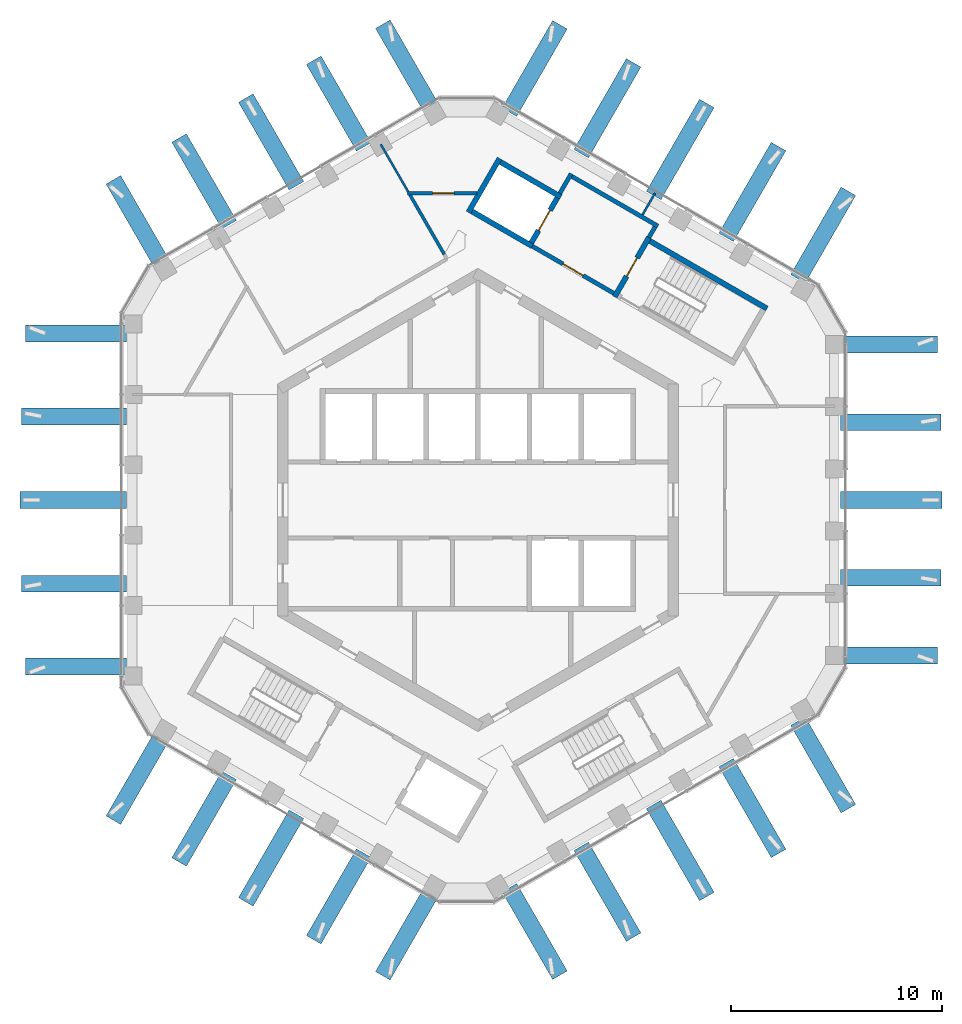
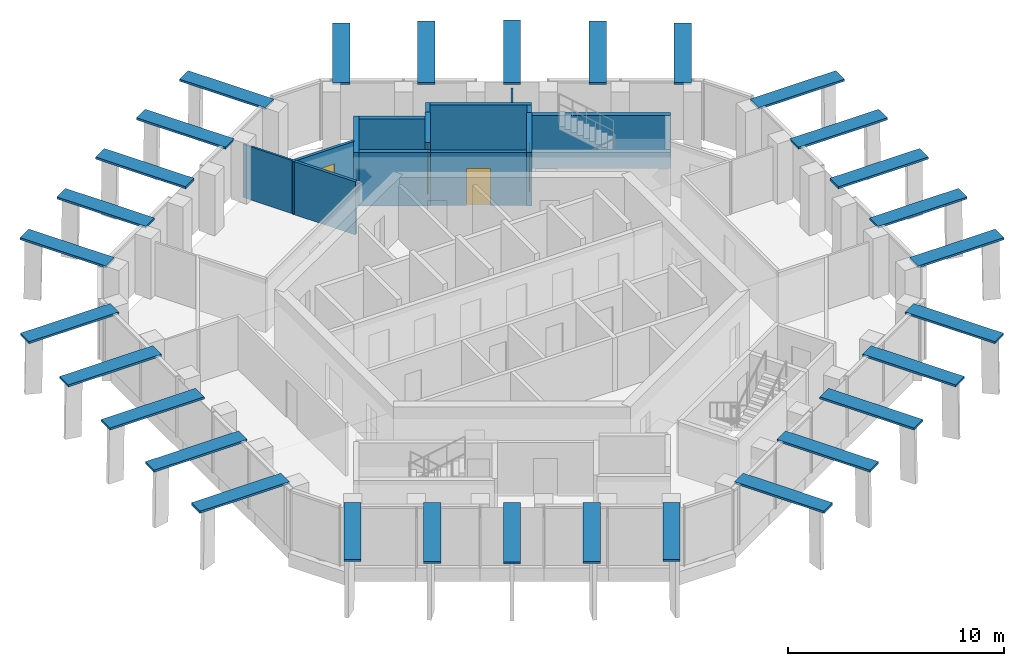
# One storey, part 13 of 17: 30 discrete accessories, 14 walls, 4 doors, 4 openings.
"""IFC4 building model written with IfcOpenShell, lengths in metres."""

from ifc_helpers import new_model, si_unit, direction, frame, frame_2d, origin, origin_2d, place, context, subcontext, project, spatial, rectangle, extrude, material, layer, layer_set, type_object, element, fill, save


model = new_model("IFC4")

# Units and contexts
model_context = context("Model", 3, precision=1e-05, world=origin(), true_north=direction((0.0, 1.0)))
body_context = subcontext(model_context, "Body", "Model", "MODEL_VIEW")
ifc_project = project(units=[si_unit("LENGTHUNIT", "METRE"), si_unit("AREAUNIT", "SQUARE_METRE"), si_unit("VOLUMEUNIT", "CUBIC_METRE"), si_unit("PLANEANGLEUNIT", "RADIAN"), si_unit("MASSUNIT", "GRAM", prefix="KILO")], contexts=[model_context])

# Site, building, storey
site_placement = place(None, origin())
site = spatial("IfcSite", under=ifc_project, at=site_placement, CompositionType="ELEMENT")
building_placement = place(site_placement, origin())
building = spatial("IfcBuilding", under=site, at=building_placement, Name="Ayvan Gate Tower", CompositionType="ELEMENT")
storey_placement = place(building_placement, frame((0.0, 0.0, 249.5)))
storey = spatial("IfcBuildingStorey", under=building, at=storey_placement, Name="L67", CompositionType="ELEMENT", Elevation=249.5)

# Wall, opening, door
ifc_material_1 = material(Name="Plasterboard on steel stud", Category="steel")
ifc_layer_1 = layer(ifc_material_1, 0.14990234375)
ifc_layer_set_1 = layer_set([ifc_layer_1], Name="Plasterboard on steel stud")
wall_type_1 = type_object("IfcWallType", Name="WT-CORR-150", PredefinedType="PARTITIONING", material=ifc_layer_set_1)
wall_1_placement = place(storey_placement, frame((-3.334716796875, 14.527587890625, 0.0), z_axis=(0.0, 0.0, 1.0), x_axis=(1.0, 0.0, 0.0)))
wall_1 = element("IfcWall", 1, at=wall_1_placement, inside=storey, type_object=wall_type_1, Name="IW-L67-021", PredefinedType="PARTITIONING", context=body_context, shape_type="SweptSolid", body=[
    extrude(rectangle(XDim=3.283203125, YDim=0.14990234375, at=frame_2d((1.6416015625, 0.0))), origin(), (0.0, 0.0, 1.0), 3.0),
])
opening_1_placement = place(wall_1_placement, frame((1.196533203125, 0.0, 0.0)))
opening_1 = element("IfcOpeningElement", 2, at=opening_1_placement, cuts=wall_1, Name="Opening L67-D24", PredefinedType="OPENING", context=body_context, shape_type="SweptSolid", body=[
    extrude(rectangle(XDim=1.0, YDim=2.10009765625, at=frame_2d((0.5, 1.050048828125))), frame((0.0, 0.0849609375, 0.0), z_axis=(0.0, -1.0, 0.0), x_axis=(1.0, 0.0, 0.0)), (0.0, 0.0, 1.0), 0.169921875),
])
ifc_material_2 = material(Name="Timber door leaf", Category="wood")
door_type_1 = type_object("IfcDoorType", Name="DT-1000", OperationType="NOTDEFINED", PredefinedType="DOOR", material=ifc_material_2)
door_1_placement = place(opening_1_placement, origin())
door_1 = element("IfcDoor", 3, at=door_1_placement, inside=storey, type_object=door_type_1, Name="ID-L67-024", OperationType="SINGLE_SWING_LEFT", OverallHeight=2.10009765625, OverallWidth=1.0, PredefinedType="DOOR", context=body_context, shape_type="SweptSolid", body=[
    extrude(rectangle(XDim=1.0, YDim=2.10009765625, at=frame_2d((0.5, 1.050048828125))), frame((0.0, 0.02490234375, 0.0), z_axis=(0.0, -1.0, 0.0), x_axis=(1.0, 0.0, 0.0)), (0.0, 0.0, 1.0), 0.050048828125),
])
fill(opening_1, door_1)

# Walls
wall_2_placement = place(storey_placement, frame((-1.593017578125, 11.640625, 0.0), z_axis=(0.0, 0.0, 1.0), x_axis=(-0.500022939057, 0.866012159509, 0.0)))
element("IfcWall", 4, at=wall_2_placement, inside=storey, type_object=wall_type_1, Name="IW-L67-027", PredefinedType="PARTITIONING", context=body_context, shape_type="SweptSolid", body=[
    extrude(rectangle(XDim=3.258544921875, YDim=0.14990234375, at=frame_2d((1.62939453125, 0.0))), origin(), (0.0, 0.0, 1.0), 3.0),
])
ifc_layer_2 = layer(ifc_material_1, 0.10009765625)
ifc_layer_set_2 = layer_set([ifc_layer_2], Name="Plasterboard on steel stud")
wall_type_2 = type_object("IfcWallType", Name="WT-PART-100", PredefinedType="PARTITIONING", material=ifc_layer_set_2)
wall_3_placement = place(storey_placement, frame((-3.29736328125, 14.592529296875, 0.0), z_axis=(0.0, 0.0, 1.0), x_axis=(-0.499944513011, 0.866057436843, 0.0)))
element("IfcWall", 5, at=wall_3_placement, inside=storey, type_object=wall_type_2, Name="IW-L67-020", PredefinedType="PARTITIONING", context=body_context, shape_type="SweptSolid", body=[
    extrude(rectangle(XDim=2.601318359375, YDim=0.10009765625, at=frame_2d((1.30078125, 0.0))), origin(), (0.0, 0.0, 1.0), 3.0),
])
wall_4_placement = place(storey_placement, frame((7.800048828125, 13.510009765625, 0.0), z_axis=(0.0, 0.0, 1.0), x_axis=(0.499962389866, 0.866047116916, 0.0)))
element("IfcWall", 6, at=wall_4_placement, inside=storey, type_object=wall_type_2, Name="IW-L67-058", PredefinedType="PARTITIONING", context=body_context, shape_type="SweptSolid", body=[
    extrude(rectangle(XDim=1.17431640625, YDim=0.10009765625, at=frame_2d((0.587158203125, 0.0))), origin(), (0.0, 0.0, 1.0), 3.0),
])
ifc_layer_3 = layer(ifc_material_1, 0.199951171875)
ifc_layer_set_3 = layer_set([ifc_layer_3], Name="Plasterboard on steel stud")
wall_type_3 = type_object("IfcWallType", Name="WT-RATED-200", PredefinedType="PARTITIONING", material=ifc_layer_set_3)
wall_5_placement = place(storey_placement, frame((3.885009765625, 14.52880859375, 0.0), z_axis=(0.0, 0.0, 1.0), x_axis=(0.499997628298, 0.866026773083, 0.0)))
element("IfcWall", 7, at=wall_5_placement, inside=storey, type_object=wall_type_3, Name="IW-L67-043", PredefinedType="PARTITIONING", context=body_context, shape_type="SweptSolid", body=[
    extrude(rectangle(XDim=1.0751953125, YDim=0.199951171875, at=frame_2d((0.53759765625, 0.0))), origin(), (0.0, 0.0, 1.0), 3.0),
])
wall_6_placement = place(storey_placement, frame((4.458984375, 15.323486328125, 0.0), z_axis=(0.0, 0.0, 1.0), x_axis=(0.866016039709, -0.500016218704, 0.0)))
element("IfcWall", 8, at=wall_6_placement, inside=storey, type_object=wall_type_3, Name="IW-L67-044", PredefinedType="PARTITIONING", context=body_context, shape_type="SweptSolid", body=[
    extrude(rectangle(XDim=4.699951171875, YDim=0.199951171875, at=frame_2d((2.35009765625, 0.0))), origin(), (0.0, 0.0, 1.0), 3.0),
])

# Wall, opening, door
wall_7_placement = place(storey_placement, frame((6.4345703125, 9.794921875, 0.0), z_axis=(0.0, 0.0, 1.0), x_axis=(-0.866012907634, 0.500021643343, 0.0)))
wall_7 = element("IfcWall", 9, at=wall_7_placement, inside=storey, type_object=wall_type_3, Name="IW-L67-050", PredefinedType="PARTITIONING", context=body_context, shape_type="SweptSolid", body=[
    extrude(rectangle(XDim=4.449951171875, YDim=0.199951171875, at=frame_2d((2.22509765625, 0.0))), origin(), (0.0, 0.0, 1.0), 3.0),
])
opening_2_placement = place(wall_7_placement, frame((1.675048828125, 0.0, 0.0)))
opening_2 = element("IfcOpeningElement", 10, at=opening_2_placement, cuts=wall_7, Name="Opening L67-D13", PredefinedType="OPENING", context=body_context, shape_type="SweptSolid", body=[
    extrude(rectangle(XDim=1.10009765625, YDim=2.10009765625, at=frame_2d((0.550048828125, 1.050048828125))), frame((0.0, 0.10986328125, 0.0), z_axis=(0.0, -1.0, 0.0), x_axis=(1.0, 0.0, 0.0)), (0.0, 0.0, 1.0), 0.219970703125),
])
door_type_2 = type_object("IfcDoorType", Name="DT-1100", OperationType="NOTDEFINED", PredefinedType="DOOR", material=ifc_material_2)
door_2_placement = place(opening_2_placement, origin())
door_2 = element("IfcDoor", 11, at=door_2_placement, inside=storey, type_object=door_type_2, Name="ID-L67-013", OperationType="SINGLE_SWING_RIGHT", OverallHeight=2.10009765625, OverallWidth=1.10009765625, PredefinedType="DOOR", context=body_context, shape_type="SweptSolid", body=[
    extrude(rectangle(XDim=1.10009765625, YDim=2.10009765625, at=frame_2d((0.550048828125, 1.050048828125))), frame((0.0, 0.02490234375, 0.0), z_axis=(0.0, -1.0, 0.0), x_axis=(1.0, 0.0, 0.0)), (0.0, 0.0, 1.0), 0.050048828125),
])
fill(opening_2, door_2)

# Walls
wall_8_placement = place(storey_placement, frame((8.392822265625, 12.936767578125, 0.0), z_axis=(0.0, 0.0, 1.0), x_axis=(-0.500065409566, -0.86598763626, 0.0)))
element("IfcWall", 12, at=wall_8_placement, inside=storey, type_object=wall_type_3, Name="IW-L67-060", PredefinedType="PARTITIONING", context=body_context, shape_type="SweptSolid", body=[
    extrude(rectangle(XDim=0.5751953125, YDim=0.199951171875, at=frame_2d((0.28759765625, 0.0))), origin(), (0.0, 0.0, 1.0), 3.0),
])
ifc_material_3 = material(Name="Concrete C50/60", Category="concrete")
ifc_layer_4 = layer(ifc_material_3, 0.25)
ifc_layer_set_4 = layer_set([ifc_layer_4], Name="Concrete C50/60")
wall_type_4 = type_object("IfcWallType", Name="WT-RC-250", PredefinedType="SHEAR", material=ifc_layer_set_4)
wall_9_placement = place(storey_placement, frame((-0.447998046875, 13.624267578125, 0.0), z_axis=(0.0, 0.0, 1.0), x_axis=(0.500037662692, 0.866003658127, 0.0)))
element("IfcWall", 13, at=wall_9_placement, inside=storey, type_object=wall_type_4, Name="IW-L67-031", PredefinedType="SHEAR", context=body_context, shape_type="SweptSolid", body=[
    extrude(rectangle(XDim=2.949951171875, YDim=0.25, at=frame_2d((1.47509765625, 0.0))), origin(), (0.0, 0.0, 1.0), 3.0),
])
for number, where, z_axis, x_axis, name in (
    (14, (1.072998046875, 16.00830078125, 0.0), (0.0, 0.0, 1.0), (0.866040211805, -0.499974350878, 0.0), "IW-L67-035"),
    (15, (2.580810546875, 12.02001953125, 0.0), (0.0, 0.0, 1.0), (-0.866040211805, 0.499974350878, 0.0), "IW-L67-039"),
):
    element("IfcWall", number, at=place(storey_placement, frame(where, z_axis=z_axis, x_axis=x_axis)), inside=storey, type_object=wall_type_4, Name=name, PredefinedType="SHEAR", context=body_context, shape_type="SweptSolid", body=[
        extrude(rectangle(XDim=3.300048828125, YDim=0.25, at=frame_2d((1.64990234375, 0.0))), origin(), (0.0, 0.0, 1.0), 3.0),
    ])

# Wall, opening, door
wall_10_placement = place(storey_placement, frame((2.534912109375, 12.19091796875, 0.0), z_axis=(0.0, 0.0, 1.0), x_axis=(0.500061746146, 0.865989751695, 0.0)))
wall_10 = element("IfcWall", 16, at=wall_10_placement, inside=storey, type_object=wall_type_4, Name="IW-L67-040", PredefinedType="SHEAR", context=body_context, shape_type="SweptSolid", body=[
    extrude(rectangle(XDim=2.449951171875, YDim=0.25, at=frame_2d((1.22509765625, 0.0))), origin(), (0.0, 0.0, 1.0), 3.39990234375),
])
opening_3_placement = place(wall_10_placement, frame((0.675048828125, 0.0, 0.0)))
opening_3 = element("IfcOpeningElement", 17, at=opening_3_placement, cuts=wall_10, Name="Opening L67-LD-FF1", PredefinedType="OPENING", context=body_context, shape_type="SweptSolid", body=[
    extrude(rectangle(XDim=1.10009765625, YDim=2.10009765625, at=frame_2d((0.550048828125, 1.050048828125))), frame((0.0, 0.135009765625, 0.0), z_axis=(0.0, -1.0, 0.0), x_axis=(1.0, 0.0, 0.0)), (0.0, 0.0, 1.0), 0.27001953125),
])
ifc_material_4 = material(Name="Stainless steel landing door", Category="steel")
door_type_3 = type_object("IfcDoorType", Name="DT-LANDING-1100", OperationType="SLIDING_TO_LEFT", PredefinedType="DOOR", material=ifc_material_4)
door_3_placement = place(opening_3_placement, origin())
door_3 = element("IfcDoor", 18, at=door_3_placement, inside=storey, type_object=door_type_3, Name="ID-L67-014", OperationType="SLIDING_TO_LEFT", OverallHeight=2.10009765625, OverallWidth=1.10009765625, PredefinedType="DOOR", context=body_context, shape_type="SweptSolid", body=[
    extrude(rectangle(XDim=1.10009765625, YDim=2.10009765625, at=frame_2d((0.550048828125, 1.050048828125))), frame((0.0, 0.02490234375, 0.0), z_axis=(0.0, -1.0, 0.0), x_axis=(1.0, 0.0, 0.0)), (0.0, 0.0, 1.0), 0.050048828125),
])
fill(opening_3, door_3)

wall_11_placement = place(storey_placement, frame((6.480224609375, 9.624267578125, 0.0), z_axis=(0.0, 0.0, 1.0), x_axis=(0.500017246033, 0.866015446554, 0.0)))
wall_11 = element("IfcWall", 19, at=wall_11_placement, inside=storey, type_object=wall_type_4, Name="IW-L67-051", PredefinedType="SHEAR", context=body_context, shape_type="SweptSolid", body=[
    extrude(rectangle(XDim=3.25, YDim=0.25, at=frame_2d((1.625, 0.0))), origin(), (0.0, 0.0, 1.0), 3.0),
])
opening_4_placement = place(wall_11_placement, frame((1.125, 0.0, 0.0)))
opening_4 = element("IfcOpeningElement", 20, at=opening_4_placement, cuts=wall_11, Name="Opening L67-D12", PredefinedType="OPENING", context=body_context, shape_type="SweptSolid", body=[
    extrude(rectangle(XDim=1.0, YDim=2.10009765625, at=frame_2d((0.5, 1.050048828125))), frame((0.0, 0.135009765625, 0.0), z_axis=(0.0, -1.0, 0.0), x_axis=(1.0, 0.0, 0.0)), (0.0, 0.0, 1.0), 0.27001953125),
])
door_4_placement = place(opening_4_placement, origin())
door_4 = element("IfcDoor", 21, at=door_4_placement, inside=storey, type_object=door_type_1, Name="ID-L67-012", OperationType="SINGLE_SWING_LEFT", OverallHeight=2.10009765625, OverallWidth=1.0, PredefinedType="DOOR", context=body_context, shape_type="SweptSolid", body=[
    extrude(rectangle(XDim=1.0, YDim=2.10009765625, at=frame_2d((0.5, 1.050048828125))), frame((0.0, 0.02490234375, 0.0), z_axis=(0.0, -1.0, 0.0), x_axis=(1.0, 0.0, 0.0)), (0.0, 0.0, 1.0), 0.050048828125),
])
fill(opening_4, door_4)

# Wall
wall_12_placement = place(storey_placement, frame((8.151123046875, 12.26806640625, 0.0), z_axis=(0.0, 0.0, 1.0), x_axis=(0.866025499775, -0.499999833739, 0.0)))
element("IfcWall", 22, at=wall_12_placement, inside=storey, type_object=wall_type_4, Name="IW-L67-059", PredefinedType="SHEAR", context=body_context, shape_type="SweptSolid", body=[
    extrude(rectangle(XDim=6.39990234375, YDim=0.25, at=frame_2d((3.199951171875, 0.0))), origin(), (0.0, 0.0, 1.0), 3.0),
])

# Discrete accessories
ifc_material_5 = material(Name="Stainless steel 316", Category="steel")
ifc_layer_5 = layer(ifc_material_5, 0.1201171875)
ifc_layer_set_5 = layer_set([ifc_layer_5], Name="Stainless steel 316")
discrete_accessory_type = type_object("IfcDiscreteAccessoryType", Name="Fin carrier bracket", PredefinedType="BRACKET", material=ifc_layer_set_5)
discrete_accessory_1_placement = place(storey_placement, frame((-19.046142578125, -7.889892578125, 3.280029296875), z_axis=(0.0, 0.0, 1.0), x_axis=(0.0, -1.0, 0.0)))
element("IfcDiscreteAccessory", 23, at=discrete_accessory_1_placement, inside=storey, type_object=discrete_accessory_type, Name="Fin carrier 155", PredefinedType="BRACKET", context=body_context, shape_type="SweptSolid", body=[
    extrude(rectangle(XDim=0.800048828125, YDim=4.785400390625, at=origin_2d()), origin(), (0.0, 0.0, 1.0), 0.1201171875),
])
discrete_accessory_2_placement = place(storey_placement, frame((-19.1376953125, -3.964599609375, 3.280029296875), z_axis=(0.0, 0.0, 1.0), x_axis=(0.0, -1.0, 0.0)))
element("IfcDiscreteAccessory", 24, at=discrete_accessory_2_placement, inside=storey, type_object=discrete_accessory_type, Name="Fin carrier 163", PredefinedType="BRACKET", context=body_context, shape_type="SweptSolid", body=[
    extrude(rectangle(XDim=0.800048828125, YDim=4.96875, at=origin_2d()), origin(), (0.0, 0.0, 1.0), 0.1201171875),
])
discrete_accessory_3_placement = place(storey_placement, frame((-19.17138671875, -0.000244140625, 3.280029296875), z_axis=(0.0, 0.0, 1.0), x_axis=(0.0, -1.0, 0.0)))
element("IfcDiscreteAccessory", 25, at=discrete_accessory_3_placement, inside=storey, type_object=discrete_accessory_type, Name="Fin carrier 172", PredefinedType="BRACKET", context=body_context, shape_type="SweptSolid", body=[
    extrude(rectangle(XDim=0.800048828125, YDim=5.035888671875, at=origin_2d()), origin(), (0.0, 0.0, 1.0), 0.1201171875),
])
discrete_accessory_4_placement = place(storey_placement, frame((-19.1376953125, 3.96435546875, 3.280029296875), z_axis=(0.0, 0.0, 1.0), x_axis=(0.0, -1.0, 0.0)))
element("IfcDiscreteAccessory", 26, at=discrete_accessory_4_placement, inside=storey, type_object=discrete_accessory_type, Name="Fin carrier 180", PredefinedType="BRACKET", context=body_context, shape_type="SweptSolid", body=[
    extrude(rectangle(XDim=0.800048828125, YDim=4.96875, at=origin_2d()), origin(), (0.0, 0.0, 1.0), 0.1201171875),
])
discrete_accessory_5_placement = place(storey_placement, frame((-19.046142578125, 7.889892578125, 3.280029296875), z_axis=(0.0, 0.0, 1.0), x_axis=(0.0, -1.0, 0.0)))
element("IfcDiscreteAccessory", 27, at=discrete_accessory_5_placement, inside=storey, type_object=discrete_accessory_type, Name="Fin carrier 188", PredefinedType="BRACKET", context=body_context, shape_type="SweptSolid", body=[
    extrude(rectangle(XDim=0.800048828125, YDim=4.785400390625, at=origin_2d()), origin(), (0.0, 0.0, 1.0), 0.1201171875),
])
for number, where, z_axis, x_axis, name in (
    (28, (-16.1220703125, -13.183349609375, 3.280029296875), (0.0, 0.0, 1.0), (0.866025403784, -0.5, 0.0), "Fin carrier 233"),
    (29, (-16.1220703125, 13.183349609375, 3.280029296875), (0.0, 0.0, 1.0), (-0.866025403784, -0.5, 0.0), "Fin carrier 242"),
):
    element("IfcDiscreteAccessory", number, at=place(storey_placement, frame(where, z_axis=z_axis, x_axis=x_axis)), inside=storey, type_object=discrete_accessory_type, Name=name, PredefinedType="BRACKET", context=body_context, shape_type="SweptSolid", body=[
        extrude(rectangle(XDim=0.800048828125, YDim=4.581298828125, at=origin_2d()), origin(), (0.0, 0.0, 1.0), 0.1201171875),
    ])
for number, where, z_axis, x_axis, name in (
    (30, (-12.967529296875, -15.09619140625, 3.280029296875), (0.0, 0.0, 1.0), (0.866025403784, -0.5, 0.0), "Fin carrier 298"),
    (31, (-12.9677734375, 15.09619140625, 3.280029296875), (0.0, 0.0, 1.0), (-0.866025403784, -0.5, 0.0), "Fin carrier 304"),
):
    element("IfcDiscreteAccessory", number, at=place(storey_placement, frame(where, z_axis=z_axis, x_axis=x_axis)), inside=storey, type_object=discrete_accessory_type, Name=name, PredefinedType="BRACKET", context=body_context, shape_type="SweptSolid", body=[
        extrude(rectangle(XDim=0.800048828125, YDim=4.739990234375, at=origin_2d()), origin(), (0.0, 0.0, 1.0), 0.1201171875),
    ])
for number, where, z_axis, x_axis, name in (
    (32, (-9.792724609375, -16.961669921875, 3.280029296875), (0.0, 0.0, 1.0), (0.866025403784, -0.5, 0.0), "Fin carrier 362"),
    (33, (-9.79296875, 16.961669921875, 3.280029296875), (0.0, 0.0, 1.0), (-0.866025403784, -0.5, 0.0), "Fin carrier 373"),
):
    element("IfcDiscreteAccessory", number, at=place(storey_placement, frame(where, z_axis=z_axis, x_axis=x_axis)), inside=storey, type_object=discrete_accessory_type, Name=name, PredefinedType="BRACKET", context=body_context, shape_type="SweptSolid", body=[
        extrude(rectangle(XDim=0.800048828125, YDim=4.79638671875, at=origin_2d()), origin(), (0.0, 0.0, 1.0), 0.1201171875),
    ])
for number, where, z_axis, x_axis, name in (
    (34, (-6.589599609375, -18.7783203125, 3.280029296875), (0.0, 0.0, 1.0), (0.866025403784, -0.5, 0.0), "Fin carrier 426"),
    (35, (-6.58984375, 18.7783203125, 3.280029296875), (0.0, 0.0, 1.0), (-0.866025403784, -0.5, 0.0), "Fin carrier 435"),
):
    element("IfcDiscreteAccessory", number, at=place(storey_placement, frame(where, z_axis=z_axis, x_axis=x_axis)), inside=storey, type_object=discrete_accessory_type, Name=name, PredefinedType="BRACKET", context=body_context, shape_type="SweptSolid", body=[
        extrude(rectangle(XDim=0.800048828125, YDim=4.739990234375, at=origin_2d()), origin(), (0.0, 0.0, 1.0), 0.1201171875),
    ])
for number, where, z_axis, x_axis, name in (
    (36, (-3.356201171875, -20.5537109375, 3.280029296875), (0.0, 0.0, 1.0), (0.866025403784, -0.5, 0.0), "Fin carrier 488"),
    (37, (-3.356201171875, 20.5537109375, 3.280029296875), (0.0, 0.0, 1.0), (-0.866025403784, -0.5, 0.0), "Fin carrier 500"),
):
    element("IfcDiscreteAccessory", number, at=place(storey_placement, frame(where, z_axis=z_axis, x_axis=x_axis)), inside=storey, type_object=discrete_accessory_type, Name=name, PredefinedType="BRACKET", context=body_context, shape_type="SweptSolid", body=[
        extrude(rectangle(XDim=0.800048828125, YDim=4.581298828125, at=origin_2d()), origin(), (0.0, 0.0, 1.0), 0.1201171875),
    ])
for number, where, z_axis, x_axis, name in (
    (38, (2.690185546875, -20.439208984375, 3.280029296875), (0.0, 0.0, 1.0), (0.866025403784, 0.5, 0.0), "Fin carrier 546"),
    (39, (2.690185546875, 20.439453125, 3.280029296875), (0.0, 0.0, 1.0), (-0.866025403784, 0.5, 0.0), "Fin carrier 552"),
):
    element("IfcDiscreteAccessory", number, at=place(storey_placement, frame(where, z_axis=z_axis, x_axis=x_axis)), inside=storey, type_object=discrete_accessory_type, Name=name, PredefinedType="BRACKET", context=body_context, shape_type="SweptSolid", body=[
        extrude(rectangle(XDim=0.800048828125, YDim=4.785400390625, at=origin_2d()), origin(), (0.0, 0.0, 1.0), 0.1201171875),
    ])
for number, where, z_axis, x_axis, name in (
    (40, (6.135498046875, -18.55615234375, 3.280029296875), (0.0, 0.0, 1.0), (0.866025403784, 0.5, 0.0), "Fin carrier 606"),
    (41, (6.13525390625, 18.55615234375, 3.280029296875), (0.0, 0.0, 1.0), (-0.866025403784, 0.5, 0.0), "Fin carrier 612"),
):
    element("IfcDiscreteAccessory", number, at=place(storey_placement, frame(where, z_axis=z_axis, x_axis=x_axis)), inside=storey, type_object=discrete_accessory_type, Name=name, PredefinedType="BRACKET", context=body_context, shape_type="SweptSolid", body=[
        extrude(rectangle(XDim=0.800048828125, YDim=4.96875, at=origin_2d()), origin(), (0.0, 0.0, 1.0), 0.1201171875),
    ])
for number, where, z_axis, x_axis, name in (
    (42, (9.585693359375, -16.602783203125, 3.280029296875), (0.0, 0.0, 1.0), (0.866025403784, 0.5, 0.0), "Fin carrier 668"),
    (43, (9.58544921875, 16.60302734375, 3.280029296875), (0.0, 0.0, 1.0), (-0.866025403784, 0.5, 0.0), "Fin carrier 674"),
):
    element("IfcDiscreteAccessory", number, at=place(storey_placement, frame(where, z_axis=z_axis, x_axis=x_axis)), inside=storey, type_object=discrete_accessory_type, Name=name, PredefinedType="BRACKET", context=body_context, shape_type="SweptSolid", body=[
        extrude(rectangle(XDim=0.800048828125, YDim=5.035888671875, at=origin_2d()), origin(), (0.0, 0.0, 1.0), 0.1201171875),
    ])
for number, where, z_axis, x_axis, name in (
    (44, (13.00244140625, -14.591552734375, 3.280029296875), (0.0, 0.0, 1.0), (0.866025403784, 0.5, 0.0), "Fin carrier 737"),
    (45, (13.002197265625, 14.591552734375, 3.280029296875), (0.0, 0.0, 1.0), (-0.866025403784, 0.5, 0.0), "Fin carrier 741"),
):
    element("IfcDiscreteAccessory", number, at=place(storey_placement, frame(where, z_axis=z_axis, x_axis=x_axis)), inside=storey, type_object=discrete_accessory_type, Name=name, PredefinedType="BRACKET", context=body_context, shape_type="SweptSolid", body=[
        extrude(rectangle(XDim=0.800048828125, YDim=4.96875, at=origin_2d()), origin(), (0.0, 0.0, 1.0), 0.1201171875),
    ])
for number, where, z_axis, x_axis, name in (
    (46, (16.35595703125, -12.549560546875, 3.280029296875), (0.0, 0.0, 1.0), (0.866025403784, 0.5, 0.0), "Fin carrier 803"),
    (47, (16.355712890625, 12.549560546875, 3.280029296875), (0.0, 0.0, 1.0), (-0.866025403784, 0.5, 0.0), "Fin carrier 805"),
):
    element("IfcDiscreteAccessory", number, at=place(storey_placement, frame(where, z_axis=z_axis, x_axis=x_axis)), inside=storey, type_object=discrete_accessory_type, Name=name, PredefinedType="BRACKET", context=body_context, shape_type="SweptSolid", body=[
        extrude(rectangle(XDim=0.800048828125, YDim=4.785400390625, at=origin_2d()), origin(), (0.0, 0.0, 1.0), 0.1201171875),
    ])
discrete_accessory_6_placement = place(storey_placement, frame((19.478271484375, -7.370361328125, 3.280029296875), z_axis=(0.0, 0.0, 1.0), x_axis=(0.0, 1.0, 0.0)))
element("IfcDiscreteAccessory", 48, at=discrete_accessory_6_placement, inside=storey, type_object=discrete_accessory_type, Name="Fin carrier 840", PredefinedType="BRACKET", context=body_context, shape_type="SweptSolid", body=[
    extrude(rectangle(XDim=0.800048828125, YDim=4.581298828125, at=origin_2d()), origin(), (0.0, 0.0, 1.0), 0.1201171875),
])
discrete_accessory_7_placement = place(storey_placement, frame((19.557373046875, -3.68212890625, 3.280029296875), z_axis=(0.0, 0.0, 1.0), x_axis=(0.0, 1.0, 0.0)))
element("IfcDiscreteAccessory", 49, at=discrete_accessory_7_placement, inside=storey, type_object=discrete_accessory_type, Name="Fin carrier 851", PredefinedType="BRACKET", context=body_context, shape_type="SweptSolid", body=[
    extrude(rectangle(XDim=0.800048828125, YDim=4.739990234375, at=origin_2d()), origin(), (0.0, 0.0, 1.0), 0.1201171875),
])
discrete_accessory_8_placement = place(storey_placement, frame((19.585693359375, 0.0, 3.280029296875), z_axis=(0.0, 0.0, 1.0), x_axis=(0.0, 1.0, 0.0)))
element("IfcDiscreteAccessory", 50, at=discrete_accessory_8_placement, inside=storey, type_object=discrete_accessory_type, Name="Fin carrier 864", PredefinedType="BRACKET", context=body_context, shape_type="SweptSolid", body=[
    extrude(rectangle(XDim=0.800048828125, YDim=4.79638671875, at=origin_2d()), origin(), (0.0, 0.0, 1.0), 0.1201171875),
])
discrete_accessory_9_placement = place(storey_placement, frame((19.557373046875, 3.682373046875, 3.280029296875), z_axis=(0.0, 0.0, 1.0), x_axis=(0.0, 1.0, 0.0)))
element("IfcDiscreteAccessory", 51, at=discrete_accessory_9_placement, inside=storey, type_object=discrete_accessory_type, Name="Fin carrier 875", PredefinedType="BRACKET", context=body_context, shape_type="SweptSolid", body=[
    extrude(rectangle(XDim=0.800048828125, YDim=4.739990234375, at=origin_2d()), origin(), (0.0, 0.0, 1.0), 0.1201171875),
])
discrete_accessory_10_placement = place(storey_placement, frame((19.478271484375, 7.370361328125, 3.280029296875), z_axis=(0.0, 0.0, 1.0), x_axis=(0.0, 1.0, 0.0)))
element("IfcDiscreteAccessory", 52, at=discrete_accessory_10_placement, inside=storey, type_object=discrete_accessory_type, Name="Fin carrier 888", PredefinedType="BRACKET", context=body_context, shape_type="SweptSolid", body=[
    extrude(rectangle(XDim=0.800048828125, YDim=4.581298828125, at=origin_2d()), origin(), (0.0, 0.0, 1.0), 0.1201171875),
])

save(model, "model.ifc")
